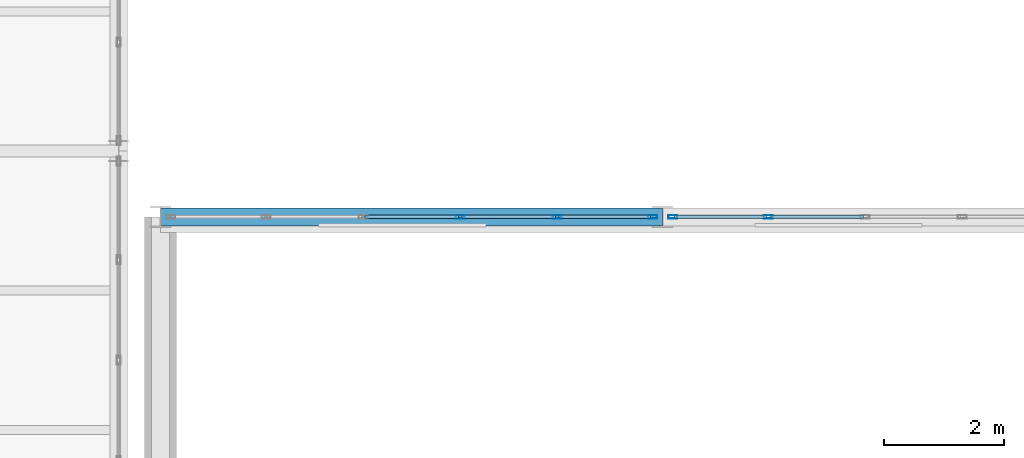
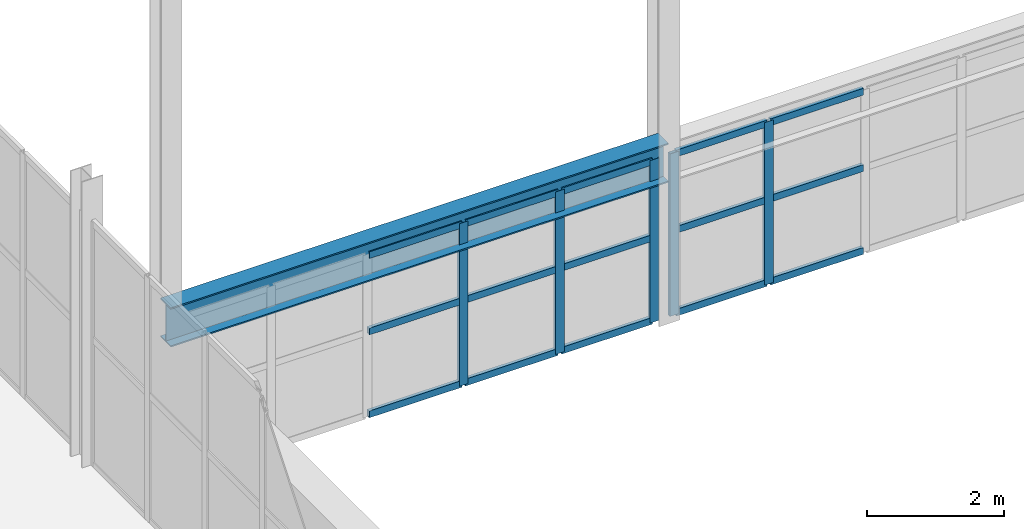
# One storey, part 60 of 218: 20 members, 1 beam, 2 elements without a shape of their own.
"""IFC4 building model written with IfcOpenShell, lengths in metres."""

from ifc_helpers import new_model, si_unit, direction, frame, origin, origin_2d, place, context, subcontext, project, spatial, hollow_rectangle, i_section, extrude, material, material_profile, profile_set, type_object, element, aggregate, save


model = new_model("IFC4")

# Units and contexts
model_context = context("Model", 3, precision=1e-05, world=origin(), true_north=direction((0.0, 1.0)))
body_context = subcontext(model_context, "Body", "Model", "MODEL_VIEW")
ifc_project = project(units=[si_unit("LENGTHUNIT", "METRE"), si_unit("AREAUNIT", "SQUARE_METRE"), si_unit("VOLUMEUNIT", "CUBIC_METRE"), si_unit("PLANEANGLEUNIT", "RADIAN"), si_unit("MASSUNIT", "GRAM", prefix="KILO")], contexts=[model_context])

# Site, building, storey
site_placement = place(None, origin())
site = spatial("IfcSite", under=ifc_project, at=site_placement, CompositionType="ELEMENT")
building_placement = place(site_placement, origin())
building = spatial("IfcBuilding", under=site, at=building_placement, Name="Kazenagashi Tramway Depot", CompositionType="ELEMENT")
storey_placement = place(building_placement, frame((0.0, 0.0, 6.0)))
storey = spatial("IfcBuildingStorey", under=building, at=storey_placement, Name="L02", CompositionType="ELEMENT", Elevation=6.0)

# Beam
ifc_material_1 = material(Name="Steel SN490B", Category="steel")
ifc_material_profile_1 = material_profile(ifc_material_1, i_section(OverallWidth=0.3, OverallDepth=0.7, WebThickness=0.013, FlangeThickness=0.024, at=origin_2d()), Name="H-700x300x13x24")
ifc_profile_set_1 = profile_set([ifc_material_profile_1], Name="Steel SN490B")
beam_type = type_object("IfcBeamType", Name="G-02", PredefinedType="BEAM", material=ifc_profile_set_1)
beam_placement = place(storey_placement, frame((44.8, 54.9, 2.85), z_axis=(1.0, 0.0, 0.0), x_axis=(0.0, 1.0, 0.0)))
element("IfcBeam", 1, at=beam_placement, inside=storey, type_object=beam_type, Name="Beam G-02 BM-1173", PredefinedType="BEAM", context=body_context, shape_type="SweptSolid", body=[
    extrude(i_section(OverallWidth=0.3, OverallDepth=0.7, WebThickness=0.013, FlangeThickness=0.024, at=origin_2d()), origin(), (0.0, 0.0, 1.0), 8.4),
])

# Curtain wall, members
ifc_material_2 = material(Name="Anodised Aluminium and Low-E Glazing", Category="aluminium")
curtain_wall_type = type_object("IfcCurtainWallType", Name="CW-21", PredefinedType="USERDEFINED", material=ifc_material_2)
curtain_wall_1_placement = place(storey_placement, origin())
curtain_wall_1 = element("IfcCurtainWall", 2, at=curtain_wall_1_placement, inside=storey, type_object=curtain_wall_type, Name="Industrial Glazed Screen CW-21 CW-0107", ObjectType="GLAZED SCREEN", PredefinedType="USERDEFINED")
ifc_material_3 = material(Name="Anodised Aluminium", Category="aluminium")
ifc_material_profile_2 = material_profile(ifc_material_3, hollow_rectangle(XDim=0.06, YDim=0.15, WallThickness=0.004, at=origin_2d()), Name="RHS-150x60x4")
ifc_profile_set_2 = profile_set([ifc_material_profile_2], Name="Anodised Aluminium")
member_type_1 = type_object("IfcMemberType", Name="ML-01", PredefinedType="MULLION", material=ifc_profile_set_2)
member_1_placement = place(storey_placement, frame((49.812, 54.9, 0.0), z_axis=(0.0, 0.0, 1.0), x_axis=(0.0, 1.0, 0.0)))
member_1 = element("IfcMember", 3, at=member_1_placement, type_object=member_type_1, Name="CW-21 mullion 4", PredefinedType="MULLION", context=body_context, shape_type="SweptSolid", body=[
    extrude(hollow_rectangle(XDim=0.06, YDim=0.15, WallThickness=0.004, at=origin_2d()), origin(), (0.0, 0.0, 1.0), 2.9),
])
member_2_placement = place(storey_placement, frame((51.436, 54.9, 0.0), z_axis=(0.0, 0.0, 1.0), x_axis=(0.0, 1.0, 0.0)))
member_2 = element("IfcMember", 4, at=member_2_placement, type_object=member_type_1, Name="CW-21 mullion 5", PredefinedType="MULLION", context=body_context, shape_type="SweptSolid", body=[
    extrude(hollow_rectangle(XDim=0.06, YDim=0.15, WallThickness=0.004, at=origin_2d()), origin(), (0.0, 0.0, 1.0), 2.9),
])
member_3_placement = place(storey_placement, frame((53.03, 54.9, 0.0), z_axis=(0.0, 0.0, 1.0), x_axis=(0.0, 1.0, 0.0)))
member_3 = element("IfcMember", 5, at=member_3_placement, type_object=member_type_1, Name="CW-21 mullion 6", PredefinedType="MULLION", context=body_context, shape_type="SweptSolid", body=[
    extrude(hollow_rectangle(XDim=0.06, YDim=0.15, WallThickness=0.004, at=origin_2d()), origin(), (0.0, 0.0, 1.0), 2.9),
])

curtain_wall_2_placement = place(storey_placement, origin())
curtain_wall_2 = element("IfcCurtainWall", 6, at=curtain_wall_2_placement, inside=storey, type_object=curtain_wall_type, Name="Industrial Glazed Screen CW-21 CW-0108", ObjectType="GLAZED SCREEN", PredefinedType="USERDEFINED")
member_4_placement = place(storey_placement, frame((53.37, 54.9, 0.0), z_axis=(0.0, 0.0, 1.0), x_axis=(0.0, 1.0, 0.0)))
member_4 = element("IfcMember", 7, at=member_4_placement, type_object=member_type_1, Name="CW-21 mullion 1", PredefinedType="MULLION", context=body_context, shape_type="SweptSolid", body=[
    extrude(hollow_rectangle(XDim=0.06, YDim=0.15, WallThickness=0.004, at=origin_2d()), origin(), (0.0, 0.0, 1.0), 2.9),
])
member_5_placement = place(storey_placement, frame((54.964, 54.9, 0.0), z_axis=(0.0, 0.0, 1.0), x_axis=(0.0, 1.0, 0.0)))
member_5 = element("IfcMember", 8, at=member_5_placement, type_object=member_type_1, Name="CW-21 mullion 2", PredefinedType="MULLION", context=body_context, shape_type="SweptSolid", body=[
    extrude(hollow_rectangle(XDim=0.06, YDim=0.15, WallThickness=0.004, at=origin_2d()), origin(), (0.0, 0.0, 1.0), 2.9),
])

# Member
ifc_material_profile_3 = material_profile(ifc_material_3, hollow_rectangle(XDim=0.06, YDim=0.12, WallThickness=0.004, at=origin_2d()), Name="RHS-120x60x4")
ifc_profile_set_3 = profile_set([ifc_material_profile_3], Name="Anodised Aluminium")
member_type_2 = type_object("IfcMemberType", Name="TR-01", PredefinedType="USERDEFINED", material=ifc_profile_set_3)
member_6_placement = place(storey_placement, frame((48.218, 54.9, 0.03), z_axis=(1.0, 0.0, 0.0), x_axis=(0.0, 1.0, 0.0)))
member_6 = element("IfcMember", 9, at=member_6_placement, type_object=member_type_2, Name="CW-21 transom 3.1", ObjectType="TRANSOM", PredefinedType="USERDEFINED", context=body_context, shape_type="SweptSolid", body=[
    extrude(hollow_rectangle(XDim=0.06, YDim=0.12, WallThickness=0.004, at=origin_2d()), origin(), (0.0, 0.0, 1.0), 1.564),
])

member_7_placement = place(storey_placement, frame((48.218, 54.9, 1.508), z_axis=(1.0, 0.0, 0.0), x_axis=(0.0, 1.0, 0.0)))
member_7 = element("IfcMember", 10, at=member_7_placement, type_object=member_type_2, Name="CW-21 transom 3.2", ObjectType="TRANSOM", PredefinedType="USERDEFINED", context=body_context, shape_type="SweptSolid", body=[
    extrude(hollow_rectangle(XDim=0.06, YDim=0.12, WallThickness=0.004, at=origin_2d()), origin(), (0.0, 0.0, 1.0), 1.564),
])

member_8_placement = place(storey_placement, frame((48.218, 54.9, 2.87), z_axis=(1.0, 0.0, 0.0), x_axis=(0.0, 1.0, 0.0)))
member_8 = element("IfcMember", 11, at=member_8_placement, type_object=member_type_2, Name="CW-21 transom 3.3", ObjectType="TRANSOM", PredefinedType="USERDEFINED", context=body_context, shape_type="SweptSolid", body=[
    extrude(hollow_rectangle(XDim=0.06, YDim=0.12, WallThickness=0.004, at=origin_2d()), origin(), (0.0, 0.0, 1.0), 1.564),
])

member_9_placement = place(storey_placement, frame((49.842, 54.9, 0.03), z_axis=(1.0, 0.0, 0.0), x_axis=(0.0, 1.0, 0.0)))
member_9 = element("IfcMember", 12, at=member_9_placement, type_object=member_type_2, Name="CW-21 transom 4.1", ObjectType="TRANSOM", PredefinedType="USERDEFINED", context=body_context, shape_type="SweptSolid", body=[
    extrude(hollow_rectangle(XDim=0.06, YDim=0.12, WallThickness=0.004, at=origin_2d()), origin(), (0.0, 0.0, 1.0), 1.564),
])

member_10_placement = place(storey_placement, frame((49.842, 54.9, 1.508), z_axis=(1.0, 0.0, 0.0), x_axis=(0.0, 1.0, 0.0)))
member_10 = element("IfcMember", 13, at=member_10_placement, type_object=member_type_2, Name="CW-21 transom 4.2", ObjectType="TRANSOM", PredefinedType="USERDEFINED", context=body_context, shape_type="SweptSolid", body=[
    extrude(hollow_rectangle(XDim=0.06, YDim=0.12, WallThickness=0.004, at=origin_2d()), origin(), (0.0, 0.0, 1.0), 1.564),
])

member_11_placement = place(storey_placement, frame((49.842, 54.9, 2.87), z_axis=(1.0, 0.0, 0.0), x_axis=(0.0, 1.0, 0.0)))
member_11 = element("IfcMember", 14, at=member_11_placement, type_object=member_type_2, Name="CW-21 transom 4.3", ObjectType="TRANSOM", PredefinedType="USERDEFINED", context=body_context, shape_type="SweptSolid", body=[
    extrude(hollow_rectangle(XDim=0.06, YDim=0.12, WallThickness=0.004, at=origin_2d()), origin(), (0.0, 0.0, 1.0), 1.564),
])

member_12_placement = place(storey_placement, frame((51.466, 54.9, 0.03), z_axis=(1.0, 0.0, 0.0), x_axis=(0.0, 1.0, 0.0)))
member_12 = element("IfcMember", 15, at=member_12_placement, type_object=member_type_2, Name="CW-21 transom 5.1", ObjectType="TRANSOM", PredefinedType="USERDEFINED", context=body_context, shape_type="SweptSolid", body=[
    extrude(hollow_rectangle(XDim=0.06, YDim=0.12, WallThickness=0.004, at=origin_2d()), origin(), (0.0, 0.0, 1.0), 1.534),
])

member_13_placement = place(storey_placement, frame((51.466, 54.9, 1.508), z_axis=(1.0, 0.0, 0.0), x_axis=(0.0, 1.0, 0.0)))
member_13 = element("IfcMember", 16, at=member_13_placement, type_object=member_type_2, Name="CW-21 transom 5.2", ObjectType="TRANSOM", PredefinedType="USERDEFINED", context=body_context, shape_type="SweptSolid", body=[
    extrude(hollow_rectangle(XDim=0.06, YDim=0.12, WallThickness=0.004, at=origin_2d()), origin(), (0.0, 0.0, 1.0), 1.534),
])

member_14_placement = place(storey_placement, frame((51.466, 54.9, 2.87), z_axis=(1.0, 0.0, 0.0), x_axis=(0.0, 1.0, 0.0)))
member_14 = element("IfcMember", 17, at=member_14_placement, type_object=member_type_2, Name="CW-21 transom 5.3", ObjectType="TRANSOM", PredefinedType="USERDEFINED", context=body_context, shape_type="SweptSolid", body=[
    extrude(hollow_rectangle(XDim=0.06, YDim=0.12, WallThickness=0.004, at=origin_2d()), origin(), (0.0, 0.0, 1.0), 1.534),
])

aggregate(curtain_wall_1, [member_1, member_2, member_3, member_6, member_7, member_8, member_9, member_10, member_11, member_12, member_13, member_14])

member_15_placement = place(storey_placement, frame((53.4, 54.9, 0.03), z_axis=(1.0, 0.0, 0.0), x_axis=(0.0, 1.0, 0.0)))
member_15 = element("IfcMember", 18, at=member_15_placement, type_object=member_type_2, Name="CW-21 transom 1.1", ObjectType="TRANSOM", PredefinedType="USERDEFINED", context=body_context, shape_type="SweptSolid", body=[
    extrude(hollow_rectangle(XDim=0.06, YDim=0.12, WallThickness=0.004, at=origin_2d()), origin(), (0.0, 0.0, 1.0), 1.534),
])

member_16_placement = place(storey_placement, frame((53.4, 54.9, 1.508), z_axis=(1.0, 0.0, 0.0), x_axis=(0.0, 1.0, 0.0)))
member_16 = element("IfcMember", 19, at=member_16_placement, type_object=member_type_2, Name="CW-21 transom 1.2", ObjectType="TRANSOM", PredefinedType="USERDEFINED", context=body_context, shape_type="SweptSolid", body=[
    extrude(hollow_rectangle(XDim=0.06, YDim=0.12, WallThickness=0.004, at=origin_2d()), origin(), (0.0, 0.0, 1.0), 1.534),
])

member_17_placement = place(storey_placement, frame((53.4, 54.9, 2.87), z_axis=(1.0, 0.0, 0.0), x_axis=(0.0, 1.0, 0.0)))
member_17 = element("IfcMember", 20, at=member_17_placement, type_object=member_type_2, Name="CW-21 transom 1.3", ObjectType="TRANSOM", PredefinedType="USERDEFINED", context=body_context, shape_type="SweptSolid", body=[
    extrude(hollow_rectangle(XDim=0.06, YDim=0.12, WallThickness=0.004, at=origin_2d()), origin(), (0.0, 0.0, 1.0), 1.534),
])

member_18_placement = place(storey_placement, frame((54.994, 54.9, 0.03), z_axis=(1.0, 0.0, 0.0), x_axis=(0.0, 1.0, 0.0)))
member_18 = element("IfcMember", 21, at=member_18_placement, type_object=member_type_2, Name="CW-21 transom 2.1", ObjectType="TRANSOM", PredefinedType="USERDEFINED", context=body_context, shape_type="SweptSolid", body=[
    extrude(hollow_rectangle(XDim=0.06, YDim=0.12, WallThickness=0.004, at=origin_2d()), origin(), (0.0, 0.0, 1.0), 1.564),
])

member_19_placement = place(storey_placement, frame((54.994, 54.9, 1.508), z_axis=(1.0, 0.0, 0.0), x_axis=(0.0, 1.0, 0.0)))
member_19 = element("IfcMember", 22, at=member_19_placement, type_object=member_type_2, Name="CW-21 transom 2.2", ObjectType="TRANSOM", PredefinedType="USERDEFINED", context=body_context, shape_type="SweptSolid", body=[
    extrude(hollow_rectangle(XDim=0.06, YDim=0.12, WallThickness=0.004, at=origin_2d()), origin(), (0.0, 0.0, 1.0), 1.564),
])

member_20_placement = place(storey_placement, frame((54.994, 54.9, 2.87), z_axis=(1.0, 0.0, 0.0), x_axis=(0.0, 1.0, 0.0)))
member_20 = element("IfcMember", 23, at=member_20_placement, type_object=member_type_2, Name="CW-21 transom 2.3", ObjectType="TRANSOM", PredefinedType="USERDEFINED", context=body_context, shape_type="SweptSolid", body=[
    extrude(hollow_rectangle(XDim=0.06, YDim=0.12, WallThickness=0.004, at=origin_2d()), origin(), (0.0, 0.0, 1.0), 1.564),
])

aggregate(curtain_wall_2, [member_4, member_5, member_15, member_16, member_17, member_18, member_19, member_20])

save(model, "model.ifc")
